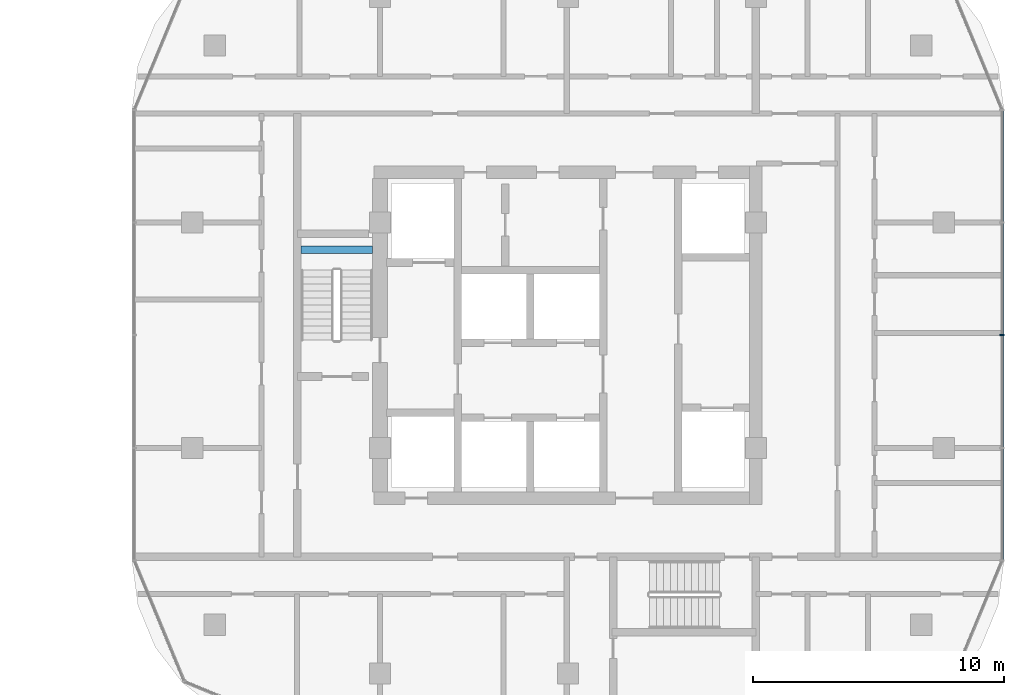
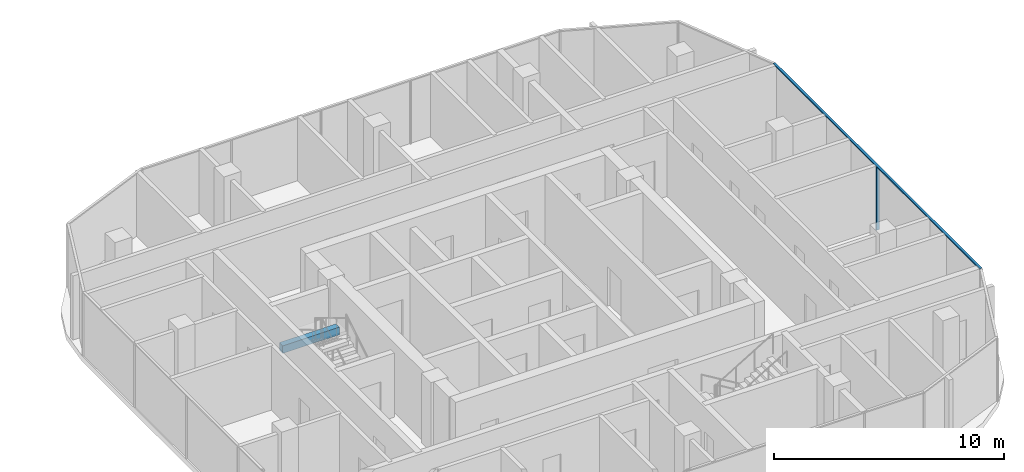
# One storey, part 13 of 34: 2 members, 1 beam, 1 element without a shape of its own.
"""IFC4 building model written with IfcOpenShell, lengths in metres."""

from ifc_helpers import new_model, si_unit, direction, frame, origin, origin_2d, place, context, subcontext, project, spatial, rectangle, extrude, material, material_profile, profile_set, type_object, element, aggregate, save


model = new_model("IFC4")

# Units and contexts
model_context = context("Model", 3, precision=1e-05, world=origin(), true_north=direction((0.0, 1.0)))
body_context = subcontext(model_context, "Body", "Model", "MODEL_VIEW")
ifc_project = project(units=[si_unit("LENGTHUNIT", "METRE"), si_unit("AREAUNIT", "SQUARE_METRE"), si_unit("VOLUMEUNIT", "CUBIC_METRE"), si_unit("PLANEANGLEUNIT", "RADIAN"), si_unit("MASSUNIT", "GRAM", prefix="KILO")], contexts=[model_context])

# Site, building, storey
site_placement = place(None, origin())
site = spatial("IfcSite", under=ifc_project, at=site_placement, CompositionType="ELEMENT")
building_placement = place(site_placement, origin())
building = spatial("IfcBuilding", under=site, at=building_placement, Name="Ogive Portal Towers", CompositionType="ELEMENT")
storey_placement = place(building_placement, frame((0.0, 0.0, 66.800048828125)))
storey = spatial("IfcBuildingStorey", under=building, at=storey_placement, Name="L15", CompositionType="ELEMENT", Elevation=66.800048828125)

# Beam
ifc_material_1 = material(Name="Concrete C40/50", Category="concrete")
ifc_material_profile_1 = material_profile(ifc_material_1, rectangle(XDim=0.300048828125, YDim=0.39990234375, at=origin_2d()), Name="RC 300x400")
ifc_profile_set_1 = profile_set([ifc_material_profile_1], Name="Concrete C40/50")
beam_type = type_object("IfcBeamType", Name="BEAM RC 300x400", PredefinedType="BEAM", material=ifc_profile_set_1)
beam_placement = place(storey_placement, frame((125.85009765625, 34.39990234375, 1.449951171875), z_axis=(1.0, 0.0, 0.0), x_axis=(0.0, 1.0, 0.0)))
element("IfcBeam", 1, at=beam_placement, inside=storey, type_object=beam_type, Name="Landing beam L15", PredefinedType="BEAM", context=body_context, shape_type="SweptSolid", body=[
    extrude(rectangle(XDim=0.300048828125, YDim=0.39990234375, at=origin_2d()), origin(), (0.0, 0.0, 1.0), 2.849853515625),
])

# Curtain wall, members
ifc_material_2 = material(Name="Glass, clear low-iron insulated glazing", Category="glass")
curtain_wall_type = type_object("IfcCurtainWallType", Name="CW RESIDENCES RIBBON", PredefinedType="NOTDEFINED", material=ifc_material_2)
curtain_wall_placement = place(storey_placement, origin())
curtain_wall = element("IfcCurtainWall", 2, at=curtain_wall_placement, inside=storey, type_object=curtain_wall_type, Name="B:L15:f05:cw0", PredefinedType="NOTDEFINED")
ifc_material_3 = material(Name="Aluminium 6063 anodised", Category="aluminium")
ifc_material_profile_2 = material_profile(ifc_material_3, rectangle(XDim=0.159912109375, YDim=0.06005859375, at=origin_2d()), Name="AL 60x160")
ifc_profile_set_2 = profile_set([ifc_material_profile_2], Name="Aluminium 6063 anodised")
member_type_1 = type_object("IfcMemberType", Name="CW MULLION 60x160", PredefinedType="MULLION", material=ifc_profile_set_2)
member_1_placement = place(storey_placement, frame((153.820068359375, 31.0, 0.0), z_axis=(0.0, 0.0, 1.0), x_axis=(-1.0, 0.0, 0.0)))
member_1 = element("IfcMember", 3, at=member_1_placement, type_object=member_type_1, Name="mullion", PredefinedType="MULLION", context=body_context, shape_type="SweptSolid", body=[
    extrude(rectangle(XDim=0.159912109375, YDim=0.06005859375, at=origin_2d()), origin(), (0.0, 0.0, 1.0), 3.33984375),
])
ifc_material_profile_3 = material_profile(ifc_material_3, rectangle(XDim=0.1201171875, YDim=0.06005859375, at=origin_2d()), Name="AL 120x60")
ifc_profile_set_3 = profile_set([ifc_material_profile_3], Name="Aluminium 6063 anodised")
member_type_2 = type_object("IfcMemberType", Name="CW TRANSOM 60x120", PredefinedType="USERDEFINED", material=ifc_profile_set_3)
member_2_placement = place(storey_placement, frame((153.820068359375, 22.015869140625, 3.369873046875), z_axis=(0.0, 1.0, 0.0), x_axis=(-1.0, 0.0, 0.0)))
member_2 = element("IfcMember", 4, at=member_2_placement, type_object=member_type_2, Name="transom", ObjectType="TRANSOM", PredefinedType="USERDEFINED", context=body_context, shape_type="SweptSolid", body=[
    extrude(rectangle(XDim=0.1201171875, YDim=0.06005859375, at=origin_2d()), origin(), (0.0, 0.0, 1.0), 17.96826171875),
])
aggregate(curtain_wall, [member_2, member_1])

save(model, "model.ifc")
